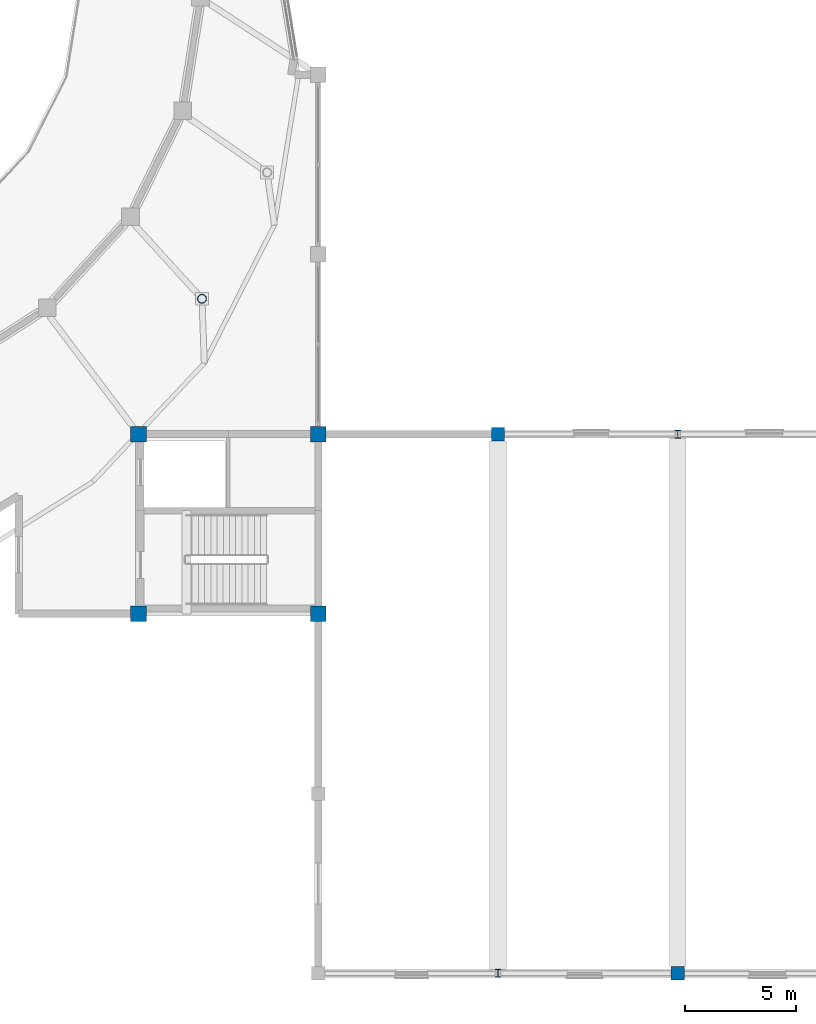
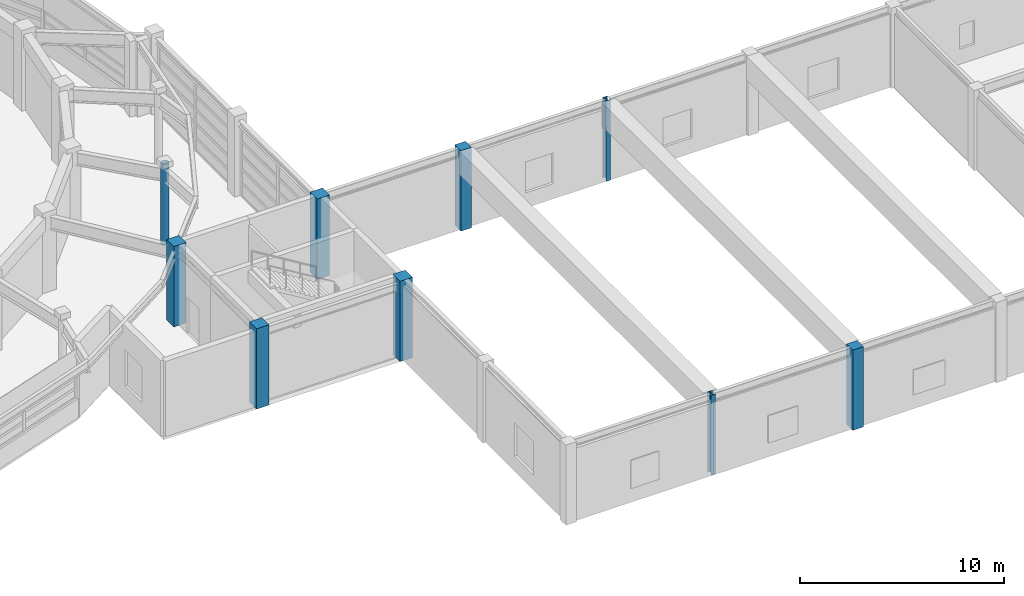
# One storey, part 4 of 58: 9 columns.
"""IFC4 building model written with IfcOpenShell, lengths in metres."""

import ifcopenshell
import ifcopenshell.guid

model = None  # the IFC model being written
_history = None  # IfcOwnerHistory: only IFC2X3 demands one
_inside = {}  # id of a spatial element -> (the spatial element, [elements in it])
_under = {}  # id of a project, library or spatial element -> (it, [spatial elements below it])
_declared = {}  # id of a project -> (the project, [libraries it declares])
_typed = {}  # id of a type object -> (the type object, [elements of that type])
_made_of = {}  # id of a material, layer set ... -> (it, [elements and type objects made of it])


def new_model(schema):
    """Start an empty IFC model of exactly this schema.

    Asked for "IFC4X3", IfcOpenShell would pick the latest addendum, in which some entities
    have other attributes; the version numbers below select the first issue.
    IFC2X3 requires an IfcOwnerHistory on every rooted entity: one is made here for all.
    """
    global model, _history
    if schema == "IFC4X3":
        model = ifcopenshell.file(schema_version=(4, 3, 0, 0))
    else:
        model = ifcopenshell.file(schema=schema)
    _inside.clear()
    _under.clear()
    _declared.clear()
    _typed.clear()
    _made_of.clear()
    _history = None
    if model.schema == "IFC2X3":
        org = make("IfcOrganization", Name="unknown")
        user = make(
            "IfcPersonAndOrganization",
            ThePerson=make("IfcPerson", FamilyName="unknown"),
            TheOrganization=org,
        )
        app = make(
            "IfcApplication",
            ApplicationDeveloper=org,
            Version="unknown",
            ApplicationFullName="unknown",
            ApplicationIdentifier="unknown",
        )
        _history = make(
            "IfcOwnerHistory",
            OwningUser=user,
            OwningApplication=app,
            ChangeAction="ADDED",
            CreationDate=0,
        )
    return model


def make(cls, **values):
    """One entity of the class cls with the attributes given. An attribute that is None is left unset."""
    return model.create_entity(
        cls, **{name: value for name, value in values.items() if value is not None}
    )


def rooted(cls, **values):
    """An entity with a GlobalId (a new one), such as an element, a storey or a relation."""
    return make(cls, GlobalId=ifcopenshell.guid.new(), OwnerHistory=_history, **values)


def si_unit(unit_type, name, prefix=None):
    """IfcSIUnit, for example si_unit("LENGTHUNIT", "METRE", prefix="MILLI")."""
    return make("IfcSIUnit", UnitType=unit_type, Prefix=prefix, Name=name)


def assignment(units):
    """IfcUnitAssignment: the units of a project."""
    return None if units is None else make("IfcUnitAssignment", Units=units)


def point(xyz):
    """IfcCartesianPoint."""
    return None if xyz is None else make("IfcCartesianPoint", Coordinates=xyz)


def direction(xyz):
    """IfcDirection."""
    return None if xyz is None else make("IfcDirection", DirectionRatios=xyz)


def frame(location, z_axis=None, x_axis=None):
    """IfcAxis2Placement3D, a coordinate frame: its origin and axes. An axis left out is left unset."""
    return make(
        "IfcAxis2Placement3D",
        Location=point(location),
        Axis=direction(z_axis),
        RefDirection=direction(x_axis),
    )


def frame_2d(location, x_axis=None):
    """IfcAxis2Placement2D, a coordinate frame in the plane: its origin and x axis."""
    return make(
        "IfcAxis2Placement2D", Location=point(location), RefDirection=direction(x_axis)
    )


def origin():
    """The frame at (0, 0, 0) with its axes left unset."""
    return frame((0.0, 0.0, 0.0))


def origin_2d():
    """The frame at (0, 0) in the plane with its x axis left unset."""
    return frame_2d((0.0, 0.0))


def place(relative_to, where):
    """IfcLocalPlacement: puts the frame where relative to a parent placement (None: the world)."""
    return make(
        "IfcLocalPlacement", PlacementRelTo=relative_to, RelativePlacement=where
    )


def context(
    kind, dimensions, precision=None, world=None, true_north=None, identifier=None
):
    """IfcGeometricRepresentationContext, for example the 3D "Model" context."""
    return make(
        "IfcGeometricRepresentationContext",
        ContextIdentifier=identifier,
        ContextType=kind,
        CoordinateSpaceDimension=dimensions,
        Precision=precision,
        WorldCoordinateSystem=world,
        TrueNorth=true_north,
    )


def subcontext(parent, identifier, kind, view, scale=None):
    """IfcGeometricRepresentationSubContext, for example "Body" below "Model"."""
    return make(
        "IfcGeometricRepresentationSubContext",
        ContextIdentifier=identifier,
        ContextType=kind,
        ParentContext=parent,
        TargetScale=scale,
        TargetView=view,
    )


def project(units=None, contexts=None):
    """IfcProject with its units and contexts."""
    return rooted(
        "IfcProject",
        Name="project",
        RepresentationContexts=contexts,
        UnitsInContext=assignment(units),
    )


def spatial(cls, under=None, at=None, **own):
    """A site, building, storey or space (cls), placed at a placement, below another one or the project."""
    s = rooted(cls, ObjectPlacement=at, **own)
    if under is not None:
        _under.setdefault(under.id(), (under, []))[1].append(s)
    return s


def profile(cls, at=None, kind="AREA", **sizes):
    """A parametric profile (cls). Its sizes go by their IFC names, for example OverallWidth=200.0."""
    return make(cls, ProfileType=kind, Position=at, **sizes)


def rectangle(**sizes):
    """IfcRectangleProfileDef."""
    return profile("IfcRectangleProfileDef", **sizes)


def hollow_circle(**sizes):
    """IfcCircleHollowProfileDef."""
    return profile("IfcCircleHollowProfileDef", **sizes)


def i_section(**sizes):
    """IfcIShapeProfileDef."""
    return profile("IfcIShapeProfileDef", **sizes)


def extrude(swept, where, along, depth):
    """IfcExtrudedAreaSolid: the profile swept, set in the frame where, extruded along a direction by depth."""
    return make(
        "IfcExtrudedAreaSolid",
        SweptArea=swept,
        Position=where,
        ExtrudedDirection=direction(along),
        Depth=depth,
    )


def shape(context_of_items, identifier, shape_type, items):
    """IfcShapeRepresentation: the items that make up one representation, for example the "Body"."""
    return make(
        "IfcShapeRepresentation",
        ContextOfItems=context_of_items,
        RepresentationIdentifier=identifier,
        RepresentationType=shape_type,
        Items=items,
    )


def material(Name=None, Category=None):
    """IfcMaterial."""
    return make("IfcMaterial", Name=Name, Category=Category)


def material_profile(
    of_material, cross_section, Name=None, Category=None, Priority=None
):
    """IfcMaterialProfile: a cross section and its material."""
    return make(
        "IfcMaterialProfile",
        Name=Name,
        Material=of_material,
        Profile=cross_section,
        Priority=Priority,
        Category=Category,
    )


def profile_set(profiles, Name=None, composite=None):
    """IfcMaterialProfileSet."""
    return make(
        "IfcMaterialProfileSet",
        Name=Name,
        MaterialProfiles=profiles,
        CompositeProfile=composite,
    )


def made_of(thing, what):
    """Note that an element or type object is made of a material, layer set ...; save() writes the relation."""
    if what is not None:
        _made_of.setdefault(what.id(), (what, []))[1].append(thing)
    return thing


def type_object(cls, material=None, **own):
    """A type object (cls), such as IfcWallType, which elements share."""
    return made_of(rooted(cls, **own), material)


def element(
    cls,
    number,
    at=None,
    inside=None,
    cuts=None,
    type_object=None,
    material=None,
    context=None,
    identifier="Body",
    shape_type=None,
    held_by="IfcProductDefinitionShape",
    body=None,
    shapes=None,
    **own,
):
    """One element of the class cls, such as IfcWall. Its Tag is "e" and its number.

    at: its placement. inside: the storey or other place that contains it. cuts: it is an
    opening in that element (IfcRelVoidsElement). A single representation is given by context,
    identifier, shape_type and body (its items); several are given by shapes. held_by: the class
    of the entity that holds the representations. save() writes the other relations.
    """
    e = rooted(cls, Tag="e%d" % number, ObjectPlacement=at, **own)
    if body is not None:
        shapes = [shape(context, identifier, shape_type, body)]
    if shapes is not None:
        e.Representation = make(held_by, Representations=shapes)
    if inside is not None:
        _inside.setdefault(inside.id(), (inside, []))[1].append(e)
    if cuts is not None:
        rooted(
            "IfcRelVoidsElement", RelatingBuildingElement=cuts, RelatedOpeningElement=e
        )
    if type_object is not None:
        _typed.setdefault(type_object.id(), (type_object, []))[1].append(e)
    return made_of(e, material)


def aggregate(whole, parts):
    """IfcRelAggregates: a whole, such as a stair, and the parts it consists of."""
    return rooted("IfcRelAggregates", RelatingObject=whole, RelatedObjects=parts)


def save(model, path):
    """Write the relations noted so far, then the file.

    IfcRelAggregates (storeys below a building ...), IfcRelContainedInSpatialStructure (elements
    in a storey), IfcRelDefinesByType, IfcRelAssociatesMaterial and IfcRelDeclares: one each for
    every whole, place, type object, material and project.
    """
    for whole, parts in _under.values():
        aggregate(whole, parts)
    for where, things in _inside.values():
        rooted(
            "IfcRelContainedInSpatialStructure",
            RelatedElements=things,
            RelatingStructure=where,
        )
    for kind, things in _typed.values():
        rooted("IfcRelDefinesByType", RelatedObjects=things, RelatingType=kind)
    for what, things in _made_of.values():
        rooted("IfcRelAssociatesMaterial", RelatedObjects=things, RelatingMaterial=what)
    for by, libraries in _declared.values():
        rooted("IfcRelDeclares", RelatingContext=by, RelatedDefinitions=libraries)
    model.write(path)


model = new_model("IFC4")

# Units and contexts
model_context = context("Model", 3, precision=1e-05, world=origin(), true_north=direction((0.0, 1.0)))
body_context = subcontext(model_context, "Body", "Model", "MODEL_VIEW")
ifc_project = project(units=[si_unit("LENGTHUNIT", "METRE"), si_unit("AREAUNIT", "SQUARE_METRE"), si_unit("VOLUMEUNIT", "CUBIC_METRE"), si_unit("PLANEANGLEUNIT", "RADIAN"), si_unit("MASSUNIT", "GRAM", prefix="KILO")], contexts=[model_context])

# Site, building, storey
site_placement = place(None, origin())
site = spatial("IfcSite", under=ifc_project, at=site_placement, CompositionType="ELEMENT")
building_placement = place(site_placement, origin())
building = spatial("IfcBuilding", under=site, at=building_placement, Name="Parian Resonance Hall", CompositionType="ELEMENT")
storey_placement = place(building_placement, frame((0.0, 0.0, 10.199951171875)))
storey = spatial("IfcBuildingStorey", under=building, at=storey_placement, Name="L02", CompositionType="ELEMENT", Elevation=10.199951171875)

# Columns
ifc_material_1 = material(Name="Hollow structural steel S355", Category="steel")
ifc_material_profile_1 = material_profile(ifc_material_1, hollow_circle(Radius=0.203125, WallThickness=0.01611328125, at=origin_2d()), Name="CHS406.4x16")
ifc_profile_set_1 = profile_set([ifc_material_profile_1], Name="Hollow structural steel S355")
column_type_1 = type_object("IfcColumnType", Name="COL-CHS406", PredefinedType="COLUMN", material=ifc_profile_set_1)
column_placement = place(storey_placement, frame((67.6611328125, 30.39990234375, 0.0), z_axis=(0.0, 0.0, 1.0), x_axis=(1.0, 0.0, 0.0)))
element("IfcColumn", 1, at=column_placement, inside=storey, type_object=column_type_1, Name="Column RNG-23 L02", PredefinedType="COLUMN", context=body_context, shape_type="SweptSolid", body=[
    extrude(hollow_circle(Radius=0.203125, WallThickness=0.01611328125, at=origin_2d()), origin(), (0.0, 0.0, 1.0), 4.800048828125),
])
ifc_material_2 = material(Name="Concrete C40/50", Category="concrete")
ifc_material_profile_2 = material_profile(ifc_material_2, rectangle(XDim=0.60009765625, YDim=0.60009765625, at=origin_2d()), Name="RC-COL-600x600")
ifc_profile_set_2 = profile_set([ifc_material_profile_2], Name="Concrete C40/50")
column_type_2 = type_object("IfcColumnType", Name="COL-RC600", PredefinedType="COLUMN", material=ifc_profile_set_2)
for number, where, z_axis, x_axis, name in (
    (2, (81.0, 24.300048828125, 0.0), (0.0, 0.0, 1.0), (1.0, 0.0, 0.0), "Column G11-04 L02"),
    (3, (89.10009765625, 0.0, 0.0), (0.0, 0.0, 1.0), (1.0, 0.0, 0.0), "Column G12-01 L02"),
):
    element("IfcColumn", number, at=place(storey_placement, frame(where, z_axis=z_axis, x_axis=x_axis)), inside=storey, type_object=column_type_2, Name=name, PredefinedType="COLUMN", context=body_context, shape_type="SweptSolid", body=[
        extrude(rectangle(XDim=0.60009765625, YDim=0.60009765625, at=origin_2d()), origin(), (0.0, 0.0, 1.0), 4.800048828125),
    ])
ifc_material_3 = material(Name="Concrete C40/50", Category="concrete")
ifc_material_profile_3 = material_profile(ifc_material_3, rectangle(XDim=0.699951171875, YDim=0.699951171875, at=origin_2d()), Name="RC-COL-700x700")
ifc_profile_set_3 = profile_set([ifc_material_profile_3], Name="Concrete C40/50")
column_type_3 = type_object("IfcColumnType", Name="COL-RC700", PredefinedType="COLUMN", material=ifc_profile_set_3)
for number, where, z_axis, x_axis, name in (
    (4, (64.800048828125, 16.199951171875, 0.0), (0.0, 0.0, 1.0), (1.0, 0.0, 0.0), "Column G09-03 L02"),
    (5, (64.800048828125, 24.300048828125, 0.0), (0.0, 0.0, 1.0), (1.0, 0.0, 0.0), "Column G09-04 L02"),
    (6, (72.89990234375, 16.199951171875, 0.0), (0.0, 0.0, 1.0), (1.0, 0.0, 0.0), "Column G10-03 L02"),
    (7, (72.89990234375, 24.300048828125, 0.0), (0.0, 0.0, 1.0), (1.0, 0.0, 0.0), "Column G10-04 L02"),
):
    element("IfcColumn", number, at=place(storey_placement, frame(where, z_axis=z_axis, x_axis=x_axis)), inside=storey, type_object=column_type_3, Name=name, PredefinedType="COLUMN", context=body_context, shape_type="SweptSolid", body=[
        extrude(rectangle(XDim=0.699951171875, YDim=0.699951171875, at=origin_2d()), origin(), (0.0, 0.0, 1.0), 4.800048828125),
    ])
ifc_material_4 = material(Name="Steel S355", Category="steel")
ifc_material_profile_4 = material_profile(ifc_material_4, i_section(OverallWidth=0.2548828125, OverallDepth=0.35693359375, WebThickness=0.010498046875, FlangeThickness=0.018310546875, FilletRadius=0.01513671875, at=origin_2d()), Name="W360x101")
ifc_profile_set_4 = profile_set([ifc_material_profile_4], Name="Steel S355")
column_type_4 = type_object("IfcColumnType", Name="COL-W360", PredefinedType="COLUMN", material=ifc_profile_set_4)
for number, where, z_axis, x_axis, name in (
    (8, (81.0, 0.0, 0.0), (0.0, 0.0, 1.0), (1.0, 0.0, 0.0), "Column G11-01 L02"),
    (9, (89.10009765625, 24.300048828125, 0.0), (0.0, 0.0, 1.0), (1.0, 0.0, 0.0), "Column G12-04 L02"),
):
    element("IfcColumn", number, at=place(storey_placement, frame(where, z_axis=z_axis, x_axis=x_axis)), inside=storey, type_object=column_type_4, Name=name, PredefinedType="COLUMN", context=body_context, shape_type="SweptSolid", body=[
        extrude(i_section(OverallWidth=0.2548828125, OverallDepth=0.35693359375, WebThickness=0.010498046875, FlangeThickness=0.018310546875, FilletRadius=0.01513671875, at=origin_2d()), origin(), (0.0, 0.0, 1.0), 4.800048828125),
    ])

save(model, "model.ifc")
